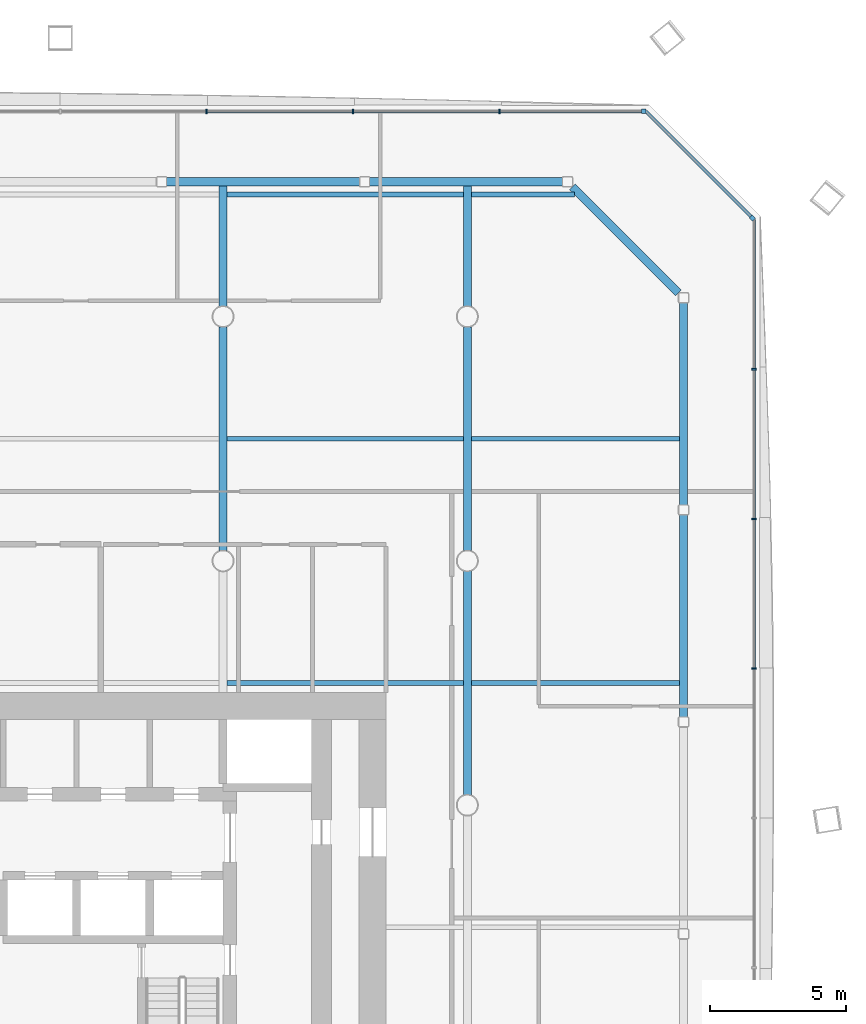
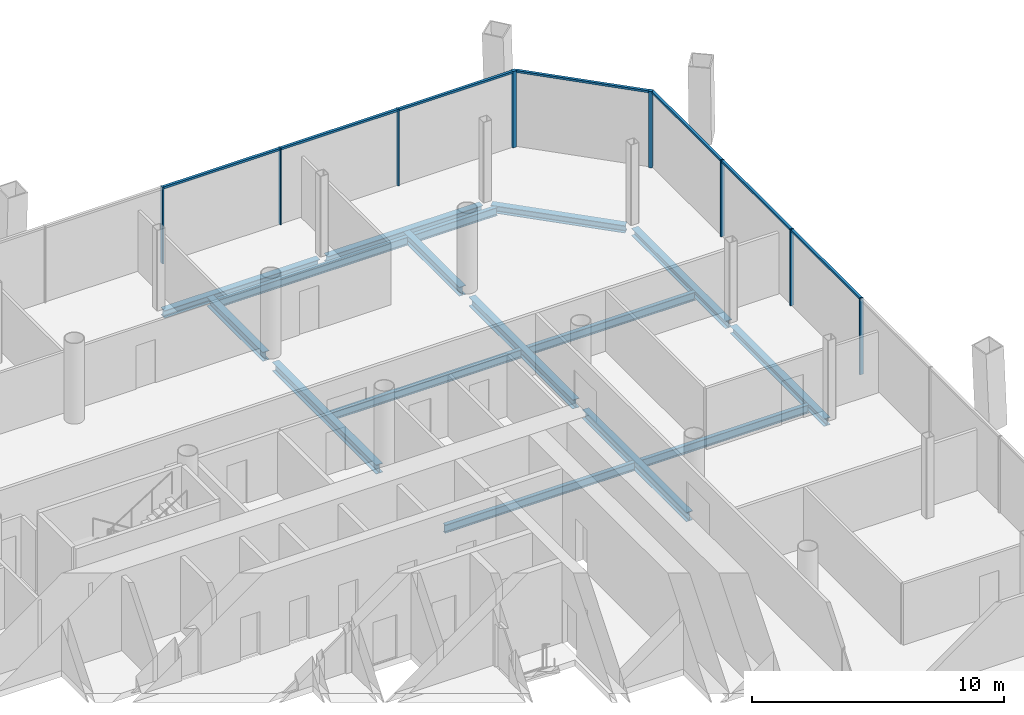
# One storey, part 10 of 20: 16 beams, 15 members, 3 elements without a shape of their own.
"""IFC4 building model written with IfcOpenShell, lengths in metres."""

import ifcopenshell
import ifcopenshell.guid

model = None  # the IFC model being written
_history = None  # IfcOwnerHistory: only IFC2X3 demands one
_inside = {}  # id of a spatial element -> (the spatial element, [elements in it])
_under = {}  # id of a project, library or spatial element -> (it, [spatial elements below it])
_declared = {}  # id of a project -> (the project, [libraries it declares])
_typed = {}  # id of a type object -> (the type object, [elements of that type])
_made_of = {}  # id of a material, layer set ... -> (it, [elements and type objects made of it])


def new_model(schema):
    """Start an empty IFC model of exactly this schema.

    Asked for "IFC4X3", IfcOpenShell would pick the latest addendum, in which some entities
    have other attributes; the version numbers below select the first issue.
    IFC2X3 requires an IfcOwnerHistory on every rooted entity: one is made here for all.
    """
    global model, _history
    if schema == "IFC4X3":
        model = ifcopenshell.file(schema_version=(4, 3, 0, 0))
    else:
        model = ifcopenshell.file(schema=schema)
    _inside.clear()
    _under.clear()
    _declared.clear()
    _typed.clear()
    _made_of.clear()
    _history = None
    if model.schema == "IFC2X3":
        org = make("IfcOrganization", Name="unknown")
        user = make(
            "IfcPersonAndOrganization",
            ThePerson=make("IfcPerson", FamilyName="unknown"),
            TheOrganization=org,
        )
        app = make(
            "IfcApplication",
            ApplicationDeveloper=org,
            Version="unknown",
            ApplicationFullName="unknown",
            ApplicationIdentifier="unknown",
        )
        _history = make(
            "IfcOwnerHistory",
            OwningUser=user,
            OwningApplication=app,
            ChangeAction="ADDED",
            CreationDate=0,
        )
    return model


def make(cls, **values):
    """One entity of the class cls with the attributes given. An attribute that is None is left unset."""
    return model.create_entity(
        cls, **{name: value for name, value in values.items() if value is not None}
    )


def rooted(cls, **values):
    """An entity with a GlobalId (a new one), such as an element, a storey or a relation."""
    return make(cls, GlobalId=ifcopenshell.guid.new(), OwnerHistory=_history, **values)


def si_unit(unit_type, name, prefix=None):
    """IfcSIUnit, for example si_unit("LENGTHUNIT", "METRE", prefix="MILLI")."""
    return make("IfcSIUnit", UnitType=unit_type, Prefix=prefix, Name=name)


def assignment(units):
    """IfcUnitAssignment: the units of a project."""
    return None if units is None else make("IfcUnitAssignment", Units=units)


def point(xyz):
    """IfcCartesianPoint."""
    return None if xyz is None else make("IfcCartesianPoint", Coordinates=xyz)


def direction(xyz):
    """IfcDirection."""
    return None if xyz is None else make("IfcDirection", DirectionRatios=xyz)


def frame(location, z_axis=None, x_axis=None):
    """IfcAxis2Placement3D, a coordinate frame: its origin and axes. An axis left out is left unset."""
    return make(
        "IfcAxis2Placement3D",
        Location=point(location),
        Axis=direction(z_axis),
        RefDirection=direction(x_axis),
    )


def frame_2d(location, x_axis=None):
    """IfcAxis2Placement2D, a coordinate frame in the plane: its origin and x axis."""
    return make(
        "IfcAxis2Placement2D", Location=point(location), RefDirection=direction(x_axis)
    )


def origin():
    """The frame at (0, 0, 0) with its axes left unset."""
    return frame((0.0, 0.0, 0.0))


def origin_2d():
    """The frame at (0, 0) in the plane with its x axis left unset."""
    return frame_2d((0.0, 0.0))


def place(relative_to, where):
    """IfcLocalPlacement: puts the frame where relative to a parent placement (None: the world)."""
    return make(
        "IfcLocalPlacement", PlacementRelTo=relative_to, RelativePlacement=where
    )


def context(
    kind, dimensions, precision=None, world=None, true_north=None, identifier=None
):
    """IfcGeometricRepresentationContext, for example the 3D "Model" context."""
    return make(
        "IfcGeometricRepresentationContext",
        ContextIdentifier=identifier,
        ContextType=kind,
        CoordinateSpaceDimension=dimensions,
        Precision=precision,
        WorldCoordinateSystem=world,
        TrueNorth=true_north,
    )


def subcontext(parent, identifier, kind, view, scale=None):
    """IfcGeometricRepresentationSubContext, for example "Body" below "Model"."""
    return make(
        "IfcGeometricRepresentationSubContext",
        ContextIdentifier=identifier,
        ContextType=kind,
        ParentContext=parent,
        TargetScale=scale,
        TargetView=view,
    )


def project(units=None, contexts=None):
    """IfcProject with its units and contexts."""
    return rooted(
        "IfcProject",
        Name="project",
        RepresentationContexts=contexts,
        UnitsInContext=assignment(units),
    )


def spatial(cls, under=None, at=None, **own):
    """A site, building, storey or space (cls), placed at a placement, below another one or the project."""
    s = rooted(cls, ObjectPlacement=at, **own)
    if under is not None:
        _under.setdefault(under.id(), (under, []))[1].append(s)
    return s


def profile(cls, at=None, kind="AREA", **sizes):
    """A parametric profile (cls). Its sizes go by their IFC names, for example OverallWidth=200.0."""
    return make(cls, ProfileType=kind, Position=at, **sizes)


def rectangle(**sizes):
    """IfcRectangleProfileDef."""
    return profile("IfcRectangleProfileDef", **sizes)


def i_section(**sizes):
    """IfcIShapeProfileDef."""
    return profile("IfcIShapeProfileDef", **sizes)


def extrude(swept, where, along, depth):
    """IfcExtrudedAreaSolid: the profile swept, set in the frame where, extruded along a direction by depth."""
    return make(
        "IfcExtrudedAreaSolid",
        SweptArea=swept,
        Position=where,
        ExtrudedDirection=direction(along),
        Depth=depth,
    )


def shape(context_of_items, identifier, shape_type, items):
    """IfcShapeRepresentation: the items that make up one representation, for example the "Body"."""
    return make(
        "IfcShapeRepresentation",
        ContextOfItems=context_of_items,
        RepresentationIdentifier=identifier,
        RepresentationType=shape_type,
        Items=items,
    )


def material(Name=None, Category=None):
    """IfcMaterial."""
    return make("IfcMaterial", Name=Name, Category=Category)


def material_profile(
    of_material, cross_section, Name=None, Category=None, Priority=None
):
    """IfcMaterialProfile: a cross section and its material."""
    return make(
        "IfcMaterialProfile",
        Name=Name,
        Material=of_material,
        Profile=cross_section,
        Priority=Priority,
        Category=Category,
    )


def profile_set(profiles, Name=None, composite=None):
    """IfcMaterialProfileSet."""
    return make(
        "IfcMaterialProfileSet",
        Name=Name,
        MaterialProfiles=profiles,
        CompositeProfile=composite,
    )


def made_of(thing, what):
    """Note that an element or type object is made of a material, layer set ...; save() writes the relation."""
    if what is not None:
        _made_of.setdefault(what.id(), (what, []))[1].append(thing)
    return thing


def type_object(cls, material=None, **own):
    """A type object (cls), such as IfcWallType, which elements share."""
    return made_of(rooted(cls, **own), material)


def element(
    cls,
    number,
    at=None,
    inside=None,
    cuts=None,
    type_object=None,
    material=None,
    context=None,
    identifier="Body",
    shape_type=None,
    held_by="IfcProductDefinitionShape",
    body=None,
    shapes=None,
    **own,
):
    """One element of the class cls, such as IfcWall. Its Tag is "e" and its number.

    at: its placement. inside: the storey or other place that contains it. cuts: it is an
    opening in that element (IfcRelVoidsElement). A single representation is given by context,
    identifier, shape_type and body (its items); several are given by shapes. held_by: the class
    of the entity that holds the representations. save() writes the other relations.
    """
    e = rooted(cls, Tag="e%d" % number, ObjectPlacement=at, **own)
    if body is not None:
        shapes = [shape(context, identifier, shape_type, body)]
    if shapes is not None:
        e.Representation = make(held_by, Representations=shapes)
    if inside is not None:
        _inside.setdefault(inside.id(), (inside, []))[1].append(e)
    if cuts is not None:
        rooted(
            "IfcRelVoidsElement", RelatingBuildingElement=cuts, RelatedOpeningElement=e
        )
    if type_object is not None:
        _typed.setdefault(type_object.id(), (type_object, []))[1].append(e)
    return made_of(e, material)


def aggregate(whole, parts):
    """IfcRelAggregates: a whole, such as a stair, and the parts it consists of."""
    return rooted("IfcRelAggregates", RelatingObject=whole, RelatedObjects=parts)


def save(model, path):
    """Write the relations noted so far, then the file.

    IfcRelAggregates (storeys below a building ...), IfcRelContainedInSpatialStructure (elements
    in a storey), IfcRelDefinesByType, IfcRelAssociatesMaterial and IfcRelDeclares: one each for
    every whole, place, type object, material and project.
    """
    for whole, parts in _under.values():
        aggregate(whole, parts)
    for where, things in _inside.values():
        rooted(
            "IfcRelContainedInSpatialStructure",
            RelatedElements=things,
            RelatingStructure=where,
        )
    for kind, things in _typed.values():
        rooted("IfcRelDefinesByType", RelatedObjects=things, RelatingType=kind)
    for what, things in _made_of.values():
        rooted("IfcRelAssociatesMaterial", RelatedObjects=things, RelatingMaterial=what)
    for by, libraries in _declared.values():
        rooted("IfcRelDeclares", RelatingContext=by, RelatedDefinitions=libraries)
    model.write(path)


model = new_model("IFC4")

# Units and contexts
model_context = context("Model", 3, precision=1e-05, world=origin(), true_north=direction((0.0, 1.0)))
body_context = subcontext(model_context, "Body", "Model", "MODEL_VIEW")
ifc_project = project(units=[si_unit("LENGTHUNIT", "METRE"), si_unit("AREAUNIT", "SQUARE_METRE"), si_unit("VOLUMEUNIT", "CUBIC_METRE"), si_unit("PLANEANGLEUNIT", "RADIAN"), si_unit("MASSUNIT", "GRAM", prefix="KILO")], contexts=[model_context])

# Site, building, storey
site_placement = place(None, origin())
site = spatial("IfcSite", under=ifc_project, at=site_placement, CompositionType="ELEMENT")
building_placement = place(site_placement, origin())
building = spatial("IfcBuilding", under=site, at=building_placement, Name="Tskaro Facet Tower", CompositionType="ELEMENT")
storey_placement = place(building_placement, frame((0.0, 0.0, 69.89990234375)))
storey = spatial("IfcBuildingStorey", under=building, at=storey_placement, Name="L16", CompositionType="ELEMENT", Elevation=69.89990234375)

# Curtain wall, member
ifc_material_1 = material(Name="Bronze anodised aluminium 6063-T6", Category="aluminium")
curtain_wall_type = type_object("IfcCurtainWallType", Name="Bronze office curtain wall (FW1)", PredefinedType="NOTDEFINED", material=ifc_material_1)
curtain_wall_1_placement = place(storey_placement, origin())
curtain_wall_1 = element("IfcCurtainWall", 1, at=curtain_wall_1_placement, inside=storey, type_object=curtain_wall_type, Name="FW1 north-east facet L16", PredefinedType="NOTDEFINED")
ifc_material_profile_1 = material_profile(ifc_material_1, rectangle(XDim=0.159912109375, YDim=0.159912109375, at=origin_2d()), Name="Corner post 160x160")
ifc_profile_set_1 = profile_set([ifc_material_profile_1], Name="Bronze anodised aluminium 6063-T6")
member_type_1 = type_object("IfcMemberType", Name="FW1 bronze corner post 160x160", PredefinedType="MULLION", material=ifc_profile_set_1)
member_1_placement = place(storey_placement, frame((28.50244140625, 21.630615234375, 0.0), z_axis=(0.0, 0.0, 1.0), x_axis=(-0.707106781187, 0.707106781187, 0.0)))
member_1 = element("IfcMember", 2, at=member_1_placement, type_object=member_type_1, Name="FW1 north-east corner post", PredefinedType="MULLION", context=body_context, shape_type="SweptSolid", body=[
    extrude(rectangle(XDim=0.159912109375, YDim=0.159912109375, at=origin_2d()), origin(), (0.0, 0.0, 1.0), 3.7001953125),
])

curtain_wall_2_placement = place(storey_placement, origin())
curtain_wall_2 = element("IfcCurtainWall", 3, at=curtain_wall_2_placement, inside=storey, type_object=curtain_wall_type, Name="FW1 north facet L16", PredefinedType="NOTDEFINED")
member_2_placement = place(storey_placement, frame((24.493896484375, 25.55908203125, 0.0), z_axis=(0.0, 0.0, 1.0), x_axis=(-1.0, 0.0, 0.0)))
member_2 = element("IfcMember", 4, at=member_2_placement, type_object=member_type_1, Name="FW1 north corner post", PredefinedType="MULLION", context=body_context, shape_type="SweptSolid", body=[
    extrude(rectangle(XDim=0.159912109375, YDim=0.159912109375, at=origin_2d()), origin(), (0.0, 0.0, 1.0), 3.7001953125),
])

# Curtain wall, members
curtain_wall_3_placement = place(storey_placement, origin())
curtain_wall_3 = element("IfcCurtainWall", 5, at=curtain_wall_3_placement, inside=storey, type_object=curtain_wall_type, Name="FW1 east facet L16", PredefinedType="NOTDEFINED")
ifc_material_profile_2 = material_profile(ifc_material_1, rectangle(XDim=0.06005859375, YDim=0.159912109375, at=origin_2d()), Name="Mullion 60x160")
ifc_profile_set_2 = profile_set([ifc_material_profile_2], Name="Bronze anodised aluminium 6063-T6")
member_type_2 = type_object("IfcMemberType", Name="FW1 bronze mullion 60x160", PredefinedType="MULLION", material=ifc_profile_set_2)
member_3_placement = place(storey_placement, frame((28.55908203125, 5.03466796875, 0.0), z_axis=(0.0, 0.0, 1.0), x_axis=(0.0, 1.0, 0.0)))
member_3 = element("IfcMember", 6, at=member_3_placement, type_object=member_type_2, Name="FW1 east mullion 5", PredefinedType="MULLION", context=body_context, shape_type="SweptSolid", body=[
    extrude(rectangle(XDim=0.06005859375, YDim=0.159912109375, at=origin_2d()), origin(), (0.0, 0.0, 1.0), 3.7001953125),
])
member_4_placement = place(storey_placement, frame((28.55908203125, 10.5478515625, 0.0), z_axis=(0.0, 0.0, 1.0), x_axis=(0.0, 1.0, 0.0)))
member_4 = element("IfcMember", 7, at=member_4_placement, type_object=member_type_2, Name="FW1 east mullion 6", PredefinedType="MULLION", context=body_context, shape_type="SweptSolid", body=[
    extrude(rectangle(XDim=0.06005859375, YDim=0.159912109375, at=origin_2d()), origin(), (0.0, 0.0, 1.0), 3.7001953125),
])
member_5_placement = place(storey_placement, frame((28.55908203125, 16.060791015625, 0.0), z_axis=(0.0, 0.0, 1.0), x_axis=(0.0, 1.0, 0.0)))
member_5 = element("IfcMember", 8, at=member_5_placement, type_object=member_type_2, Name="FW1 east mullion 7", PredefinedType="MULLION", context=body_context, shape_type="SweptSolid", body=[
    extrude(rectangle(XDim=0.06005859375, YDim=0.159912109375, at=origin_2d()), origin(), (0.0, 0.0, 1.0), 3.7001953125),
])

# Member
member_6_placement = place(storey_placement, frame((19.180419921875, 25.55908203125, 0.0), z_axis=(0.0, 0.0, 1.0), x_axis=(-1.0, 0.0, 0.0)))
member_6 = element("IfcMember", 9, at=member_6_placement, type_object=member_type_2, Name="FW1 north mullion 1", PredefinedType="MULLION", context=body_context, shape_type="SweptSolid", body=[
    extrude(rectangle(XDim=0.06005859375, YDim=0.159912109375, at=origin_2d()), origin(), (0.0, 0.0, 1.0), 3.7001953125),
])

member_7_placement = place(storey_placement, frame((13.787109375, 25.55908203125, 0.0), z_axis=(0.0, 0.0, 1.0), x_axis=(-1.0, 0.0, 0.0)))
member_7 = element("IfcMember", 10, at=member_7_placement, type_object=member_type_2, Name="FW1 north mullion 2", PredefinedType="MULLION", context=body_context, shape_type="SweptSolid", body=[
    extrude(rectangle(XDim=0.06005859375, YDim=0.159912109375, at=origin_2d()), origin(), (0.0, 0.0, 1.0), 3.7001953125),
])

member_8_placement = place(storey_placement, frame((8.3935546875, 25.55908203125, 0.0), z_axis=(0.0, 0.0, 1.0), x_axis=(-1.0, 0.0, 0.0)))
member_8 = element("IfcMember", 11, at=member_8_placement, type_object=member_type_2, Name="FW1 north mullion 3", PredefinedType="MULLION", context=body_context, shape_type="SweptSolid", body=[
    extrude(rectangle(XDim=0.06005859375, YDim=0.159912109375, at=origin_2d()), origin(), (0.0, 0.0, 1.0), 3.7001953125),
])

ifc_material_profile_3 = material_profile(ifc_material_1, rectangle(XDim=0.1201171875, YDim=0.10009765625, at=origin_2d()), Name="Transom 120x100")
ifc_profile_set_3 = profile_set([ifc_material_profile_3], Name="Bronze anodised aluminium 6063-T6")
member_type_3 = type_object("IfcMemberType", Name="FW1 bronze transom 120x100", PredefinedType="USERDEFINED", material=ifc_profile_set_3)
member_9_placement = place(storey_placement, frame((28.55908203125, 5.064697265625, 3.650146484375), z_axis=(0.0, 1.0, 0.0), x_axis=(-1.0, 0.0, 0.0)))
member_9 = element("IfcMember", 12, at=member_9_placement, type_object=member_type_3, Name="FW1 east transom 6.1", ObjectType="TRANSOM", PredefinedType="USERDEFINED", context=body_context, shape_type="SweptSolid", body=[
    extrude(rectangle(XDim=0.1201171875, YDim=0.10009765625, at=origin_2d()), origin(), (0.0, 0.0, 1.0), 5.453125),
])

member_10_placement = place(storey_placement, frame((28.55908203125, 10.57763671875, 3.650146484375), z_axis=(0.0, 1.0, 0.0), x_axis=(-1.0, 0.0, 0.0)))
member_10 = element("IfcMember", 13, at=member_10_placement, type_object=member_type_3, Name="FW1 east transom 7.1", ObjectType="TRANSOM", PredefinedType="USERDEFINED", context=body_context, shape_type="SweptSolid", body=[
    extrude(rectangle(XDim=0.1201171875, YDim=0.10009765625, at=origin_2d()), origin(), (0.0, 0.0, 1.0), 5.453125),
])

member_11_placement = place(storey_placement, frame((28.55908203125, 16.0908203125, 3.650146484375), z_axis=(0.0, 1.0, 0.0), x_axis=(-1.0, 0.0, 0.0)))
member_11 = element("IfcMember", 14, at=member_11_placement, type_object=member_type_3, Name="FW1 east transom 8.1", ObjectType="TRANSOM", PredefinedType="USERDEFINED", context=body_context, shape_type="SweptSolid", body=[
    extrude(rectangle(XDim=0.1201171875, YDim=0.10009765625, at=origin_2d()), origin(), (0.0, 0.0, 1.0), 5.483154296875),
])

aggregate(curtain_wall_3, [member_3, member_4, member_5, member_9, member_10, member_11])

member_12_placement = place(storey_placement, frame((28.44580078125, 21.687255859375, 3.650146484375), z_axis=(-0.707106781187, 0.707106781187, 0.0), x_axis=(-0.707106781187, -0.707106781187, 0.0)))
member_12 = element("IfcMember", 15, at=member_12_placement, type_object=member_type_3, Name="FW1 north-east transom 1.1", ObjectType="TRANSOM", PredefinedType="USERDEFINED", context=body_context, shape_type="SweptSolid", body=[
    extrude(rectangle(XDim=0.1201171875, YDim=0.10009765625, at=origin_2d()), origin(), (0.0, 0.0, 1.0), 5.4755859375),
])

aggregate(curtain_wall_1, [member_1, member_12])

member_13_placement = place(storey_placement, frame((24.4140625, 25.55908203125, 3.650146484375), z_axis=(-1.0, 0.0, 0.0), x_axis=(0.0, -1.0, 0.0)))
member_13 = element("IfcMember", 16, at=member_13_placement, type_object=member_type_3, Name="FW1 north transom 1.1", ObjectType="TRANSOM", PredefinedType="USERDEFINED", context=body_context, shape_type="SweptSolid", body=[
    extrude(rectangle(XDim=0.1201171875, YDim=0.10009765625, at=origin_2d()), origin(), (0.0, 0.0, 1.0), 5.20361328125),
])

member_14_placement = place(storey_placement, frame((19.150390625, 25.55908203125, 3.650146484375), z_axis=(-1.0, 0.0, 0.0), x_axis=(0.0, -1.0, 0.0)))
member_14 = element("IfcMember", 17, at=member_14_placement, type_object=member_type_3, Name="FW1 north transom 2.1", ObjectType="TRANSOM", PredefinedType="USERDEFINED", context=body_context, shape_type="SweptSolid", body=[
    extrude(rectangle(XDim=0.1201171875, YDim=0.10009765625, at=origin_2d()), origin(), (0.0, 0.0, 1.0), 5.33349609375),
])

member_15_placement = place(storey_placement, frame((13.757080078125, 25.55908203125, 3.650146484375), z_axis=(-1.0, 0.0, 0.0), x_axis=(0.0, -1.0, 0.0)))
member_15 = element("IfcMember", 18, at=member_15_placement, type_object=member_type_3, Name="FW1 north transom 3.1", ObjectType="TRANSOM", PredefinedType="USERDEFINED", context=body_context, shape_type="SweptSolid", body=[
    extrude(rectangle(XDim=0.1201171875, YDim=0.10009765625, at=origin_2d()), origin(), (0.0, 0.0, 1.0), 5.33349609375),
])

aggregate(curtain_wall_2, [member_2, member_6, member_7, member_8, member_13, member_14, member_15])

# Beams
ifc_material_2 = material(Name="Steel S355J2", Category="steel")
ifc_material_profile_4 = material_profile(ifc_material_2, i_section(OverallWidth=0.300048828125, OverallDepth=0.360107421875, WebThickness=0.012451171875, FlangeThickness=0.0224609375, FilletRadius=0.027099609375, at=origin_2d()), Name="HE 360 B")
ifc_profile_set_4 = profile_set([ifc_material_profile_4], Name="Steel S355J2")
beam_type_1 = type_object("IfcBeamType", Name="HE 360 B ring beam", PredefinedType="BEAM", material=ifc_profile_set_4)
for number, where, z_axis, x_axis, name in (
    (19, (25.965087890625, 3.248046875, -0.31982421875), (0.0, 1.0, 0.0), (-1.0, 0.0, 0.0), "HE 360 B EB10-2"),
    (20, (25.965087890625, 11.05908203125, -0.31982421875), (0.0, 1.0, 0.0), (-1.0, 0.0, 0.0), "HE 360 B EB11-2"),
):
    element("IfcBeam", number, at=place(storey_placement, frame(where, z_axis=z_axis, x_axis=x_axis)), inside=storey, type_object=beam_type_1, Name=name, PredefinedType="BEAM", context=body_context, shape_type="SweptSolid", body=[
        extrude(i_section(OverallWidth=0.300048828125, OverallDepth=0.360107421875, WebThickness=0.012451171875, FlangeThickness=0.0224609375, FilletRadius=0.027099609375, at=origin_2d()), origin(), (0.0, 0.0, 1.0), 7.450927734375),
    ])
beam_1_placement = place(storey_placement, frame((25.779052734375, 18.8759765625, -0.31982421875), z_axis=(-0.707106781187, 0.707106781187, 0.0), x_axis=(-0.707106781187, -0.707106781187, 0.0)))
element("IfcBeam", 21, at=beam_1_placement, inside=storey, type_object=beam_type_1, Name="HE 360 B EB12-2", PredefinedType="BEAM", context=body_context, shape_type="SweptSolid", body=[
    extrude(i_section(OverallWidth=0.300048828125, OverallDepth=0.360107421875, WebThickness=0.012451171875, FlangeThickness=0.0224609375, FilletRadius=0.027099609375, at=origin_2d()), origin(), (0.0, 0.0, 1.0), 5.519775390625),
])
for number, where, z_axis, x_axis, name in (
    (22, (21.510009765625, 22.965087890625, -0.31982421875), (-1.0, 0.0, 0.0), (0.0, -1.0, 0.0), "HE 360 B EB13-2"),
    (23, (14.033935546875, 22.965087890625, -0.31982421875), (-1.0, 0.0, 0.0), (0.0, -1.0, 0.0), "HE 360 B EB14-2"),
):
    element("IfcBeam", number, at=place(storey_placement, frame(where, z_axis=z_axis, x_axis=x_axis)), inside=storey, type_object=beam_type_1, Name=name, PredefinedType="BEAM", context=body_context, shape_type="SweptSolid", body=[
        extrude(i_section(OverallWidth=0.300048828125, OverallDepth=0.360107421875, WebThickness=0.012451171875, FlangeThickness=0.0224609375, FilletRadius=0.027099609375, at=origin_2d()), origin(), (0.0, 0.0, 1.0), 7.115966796875),
    ])
ifc_material_profile_5 = material_profile(ifc_material_2, i_section(OverallWidth=0.300048828125, OverallDepth=0.43994140625, WebThickness=0.011474609375, FlangeThickness=0.02099609375, FilletRadius=0.027099609375, at=origin_2d()), Name="HE 450 A")
ifc_profile_set_5 = profile_set([ifc_material_profile_5], Name="Steel S355J2")
beam_type_2 = type_object("IfcBeamType", Name="HE 450 A girder", PredefinedType="BEAM", material=ifc_profile_set_5)
beam_2_placement = place(storey_placement, frame((9.0, 9.37646484375, -0.35986328125), z_axis=(0.0, 1.0, 0.0), x_axis=(-1.0, 0.0, 0.0)))
element("IfcBeam", 24, at=beam_2_placement, inside=storey, type_object=beam_type_2, Name="HE 450 A GB5-4-2", PredefinedType="BEAM", context=body_context, shape_type="SweptSolid", body=[
    extrude(i_section(OverallWidth=0.300048828125, OverallDepth=0.43994140625, WebThickness=0.011474609375, FlangeThickness=0.02099609375, FilletRadius=0.027099609375, at=origin_2d()), origin(), (0.0, 0.0, 1.0), 8.2470703125),
])
beam_3_placement = place(storey_placement, frame((9.0, 18.37646484375, -0.35986328125), z_axis=(0.0, 1.0, 0.0), x_axis=(-1.0, 0.0, 0.0)))
element("IfcBeam", 25, at=beam_3_placement, inside=storey, type_object=beam_type_2, Name="HE 450 A GB5-5-2", PredefinedType="BEAM", context=body_context, shape_type="SweptSolid", body=[
    extrude(i_section(OverallWidth=0.300048828125, OverallDepth=0.43994140625, WebThickness=0.011474609375, FlangeThickness=0.02099609375, FilletRadius=0.027099609375, at=origin_2d()), origin(), (0.0, 0.0, 1.0), 4.4384765625),
])
for number, where, z_axis, x_axis, name in (
    (26, (18.0, 0.37646484375, -0.35986328125), (0.0, 1.0, 0.0), (-1.0, 0.0, 0.0), "HE 450 A GB6-4-2"),
    (27, (18.0, 9.37646484375, -0.35986328125), (0.0, 1.0, 0.0), (-1.0, 0.0, 0.0), "HE 450 A GB6-5-2"),
):
    element("IfcBeam", number, at=place(storey_placement, frame(where, z_axis=z_axis, x_axis=x_axis)), inside=storey, type_object=beam_type_2, Name=name, PredefinedType="BEAM", context=body_context, shape_type="SweptSolid", body=[
        extrude(i_section(OverallWidth=0.300048828125, OverallDepth=0.43994140625, WebThickness=0.011474609375, FlangeThickness=0.02099609375, FilletRadius=0.027099609375, at=origin_2d()), origin(), (0.0, 0.0, 1.0), 8.2470703125),
    ])
beam_4_placement = place(storey_placement, frame((18.0, 18.37646484375, -0.35986328125), z_axis=(0.0, 1.0, 0.0), x_axis=(-1.0, 0.0, 0.0)))
element("IfcBeam", 28, at=beam_4_placement, inside=storey, type_object=beam_type_2, Name="HE 450 A GB6-6-2", PredefinedType="BEAM", context=body_context, shape_type="SweptSolid", body=[
    extrude(i_section(OverallWidth=0.300048828125, OverallDepth=0.43994140625, WebThickness=0.011474609375, FlangeThickness=0.02099609375, FilletRadius=0.027099609375, at=origin_2d()), origin(), (0.0, 0.0, 1.0), 4.4384765625),
])
ifc_material_profile_6 = material_profile(ifc_material_2, i_section(OverallWidth=0.179931640625, OverallDepth=0.39990234375, WebThickness=0.008544921875, FlangeThickness=0.013427734375, FilletRadius=0.02099609375, at=origin_2d()), Name="IPE 400")
ifc_profile_set_6 = profile_set([ifc_material_profile_6], Name="Steel S355J2")
beam_type_3 = type_object("IfcBeamType", Name="IPE 400 secondary beam", PredefinedType="BEAM", material=ifc_profile_set_6)
beam_5_placement = place(storey_placement, frame((9.14990234375, 4.5, -0.33984375), z_axis=(1.0, 0.0, 0.0), x_axis=(0.0, 1.0, 0.0)))
element("IfcBeam", 29, at=beam_5_placement, inside=storey, type_object=beam_type_3, Name="IPE 400 SB4a-4-2", PredefinedType="BEAM", context=body_context, shape_type="SweptSolid", body=[
    extrude(i_section(OverallWidth=0.179931640625, OverallDepth=0.39990234375, WebThickness=0.008544921875, FlangeThickness=0.013427734375, FilletRadius=0.02099609375, at=origin_2d()), origin(), (0.0, 0.0, 1.0), 8.7001953125),
])
beam_6_placement = place(storey_placement, frame((18.14990234375, 4.5, -0.33984375), z_axis=(1.0, 0.0, 0.0), x_axis=(0.0, 1.0, 0.0)))
element("IfcBeam", 30, at=beam_6_placement, inside=storey, type_object=beam_type_3, Name="IPE 400 SB4a-5-2", PredefinedType="BEAM", context=body_context, shape_type="SweptSolid", body=[
    extrude(i_section(OverallWidth=0.179931640625, OverallDepth=0.39990234375, WebThickness=0.008544921875, FlangeThickness=0.013427734375, FilletRadius=0.02099609375, at=origin_2d()), origin(), (0.0, 0.0, 1.0), 7.6650390625),
])
beam_7_placement = place(storey_placement, frame((9.14990234375, 13.5, -0.33984375), z_axis=(1.0, 0.0, 0.0), x_axis=(0.0, 1.0, 0.0)))
element("IfcBeam", 31, at=beam_7_placement, inside=storey, type_object=beam_type_3, Name="IPE 400 SB5a-4-2", PredefinedType="BEAM", context=body_context, shape_type="SweptSolid", body=[
    extrude(i_section(OverallWidth=0.179931640625, OverallDepth=0.39990234375, WebThickness=0.008544921875, FlangeThickness=0.013427734375, FilletRadius=0.02099609375, at=origin_2d()), origin(), (0.0, 0.0, 1.0), 8.7001953125),
])
beam_8_placement = place(storey_placement, frame((18.14990234375, 13.5, -0.33984375), z_axis=(1.0, 0.0, 0.0), x_axis=(0.0, 1.0, 0.0)))
element("IfcBeam", 32, at=beam_8_placement, inside=storey, type_object=beam_type_3, Name="IPE 400 SB5a-5-2", PredefinedType="BEAM", context=body_context, shape_type="SweptSolid", body=[
    extrude(i_section(OverallWidth=0.179931640625, OverallDepth=0.39990234375, WebThickness=0.008544921875, FlangeThickness=0.013427734375, FilletRadius=0.02099609375, at=origin_2d()), origin(), (0.0, 0.0, 1.0), 7.6650390625),
])
beam_9_placement = place(storey_placement, frame((9.14990234375, 22.5, -0.33984375), z_axis=(1.0, 0.0, 0.0), x_axis=(0.0, 1.0, 0.0)))
element("IfcBeam", 33, at=beam_9_placement, inside=storey, type_object=beam_type_3, Name="IPE 400 SB6a-4-2", PredefinedType="BEAM", context=body_context, shape_type="SweptSolid", body=[
    extrude(i_section(OverallWidth=0.179931640625, OverallDepth=0.39990234375, WebThickness=0.008544921875, FlangeThickness=0.013427734375, FilletRadius=0.02099609375, at=origin_2d()), origin(), (0.0, 0.0, 1.0), 8.7001953125),
])
beam_10_placement = place(storey_placement, frame((18.14990234375, 22.5, -0.33984375), z_axis=(1.0, 0.0, 0.0), x_axis=(0.0, 1.0, 0.0)))
element("IfcBeam", 34, at=beam_10_placement, inside=storey, type_object=beam_type_3, Name="IPE 400 SB6a-5-2", PredefinedType="BEAM", context=body_context, shape_type="SweptSolid", body=[
    extrude(i_section(OverallWidth=0.179931640625, OverallDepth=0.39990234375, WebThickness=0.008544921875, FlangeThickness=0.013427734375, FilletRadius=0.02099609375, at=origin_2d()), origin(), (0.0, 0.0, 1.0), 3.793212890625),
])

save(model, "model.ifc")
